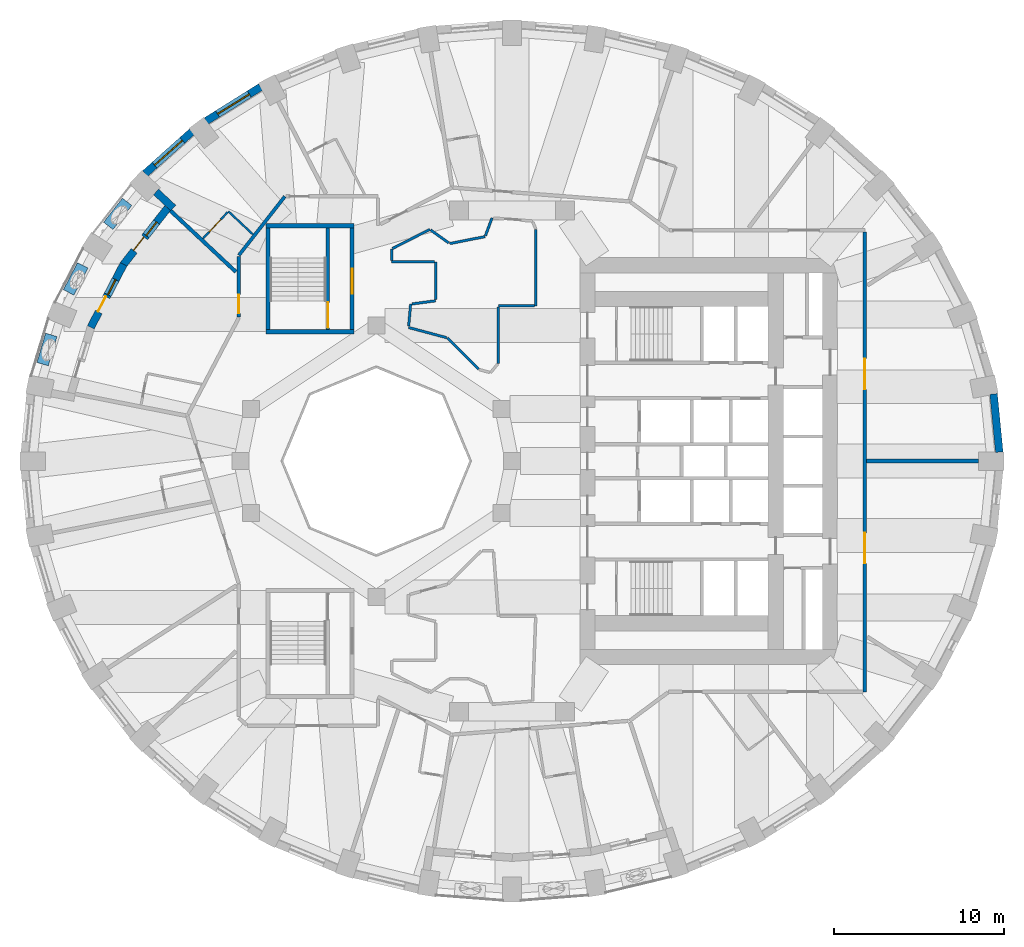
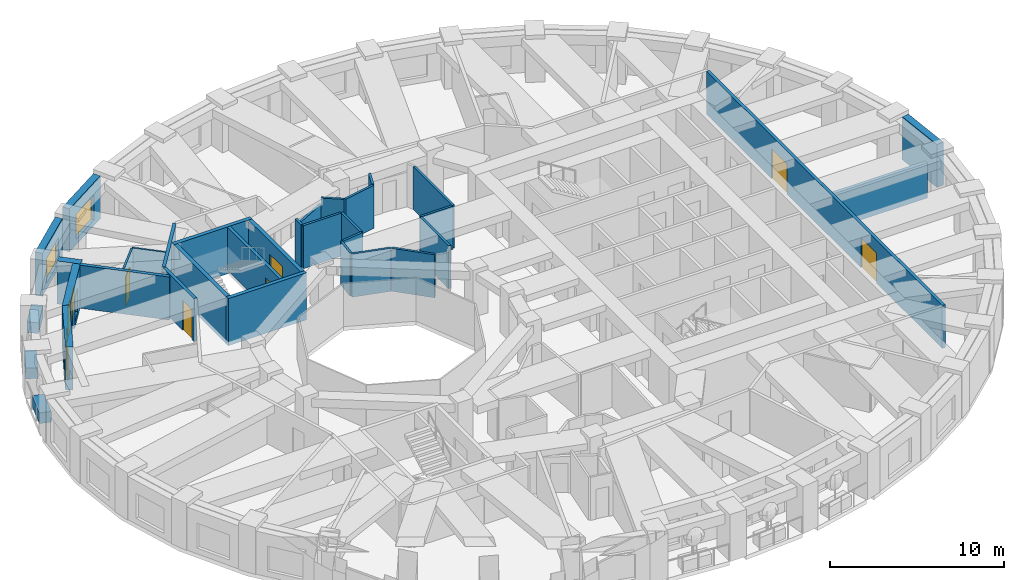
# One storey, part 7 of 13: 35 walls, 8 doors, 4 windows, 12 openings.
"""IFC4 building model written with IfcOpenShell, lengths in metres."""

from ifc_helpers import new_model, si_unit, direction, frame, frame_2d, origin, place, context, subcontext, project, spatial, rectangle, extrude, material, layer, layer_set, constituent, constituent_set, type_object, element, fill, save


model = new_model("IFC4")

# Units and contexts
model_context = context("Model", 3, precision=1e-05, world=origin(), true_north=direction((0.0, 1.0)))
body_context = subcontext(model_context, "Body", "Model", "MODEL_VIEW")
ifc_project = project(units=[si_unit("LENGTHUNIT", "METRE"), si_unit("AREAUNIT", "SQUARE_METRE"), si_unit("VOLUMEUNIT", "CUBIC_METRE"), si_unit("PLANEANGLEUNIT", "RADIAN"), si_unit("MASSUNIT", "GRAM", prefix="KILO")], contexts=[model_context])

# Site, building, storey
site_placement = place(None, origin())
site = spatial("IfcSite", under=ifc_project, at=site_placement, CompositionType="ELEMENT")
building_placement = place(site_placement, origin())
building = spatial("IfcBuilding", under=site, at=building_placement, Name="Taillehof Tower", CompositionType="ELEMENT")
storey_placement = place(building_placement, frame((0.0, 0.0, 31.60009765625)))
storey = spatial("IfcBuildingStorey", under=building, at=storey_placement, Name="L07", CompositionType="ELEMENT", Elevation=31.60009765625)

# Wall
ifc_material_1 = material(Name="Brick masonry", Category="masonry")
ifc_layer_1 = layer(ifc_material_1, 0.449951171875)
ifc_layer_set_1 = layer_set([ifc_layer_1], Name="Brick infill wall 450")
wall_type_1 = type_object("IfcWallType", Name="Brick infill wall 450", PredefinedType="SOLIDWALL", material=ifc_layer_set_1)
wall_1_placement = place(storey_placement, frame((28.721923828125, 0.530029296875, 0.0), z_axis=(0.0, 0.0, 1.0), x_axis=(-0.097389581596, 0.995246336038, 0.0)))
element("IfcWall", 1, at=wall_1_placement, inside=storey, type_object=wall_type_1, Name="Brick wall L07 bay 1", PredefinedType="SOLIDWALL", context=body_context, shape_type="SweptSolid", body=[
    extrude(rectangle(XDim=3.44189453125, YDim=0.449951171875, at=frame_2d((1.720947265625, 0.0))), origin(), (0.0, 0.0, 1.0), 3.02001953125),
])

# Wall, opening, window
wall_2_placement = place(storey_placement, frame((-14.81689453125, 22.050537109375, 0.0), z_axis=(0.0, 0.0, 1.0), x_axis=(-0.847635480093, -0.530579016629, 0.0)))
wall_2 = element("IfcWall", 2, at=wall_2_placement, inside=storey, type_object=wall_type_1, Name="Brick wall L07 bay 13", PredefinedType="SOLIDWALL", context=body_context, shape_type="SweptSolid", body=[
    extrude(rectangle(XDim=3.782470703125, YDim=0.449951171875, at=frame_2d((1.89111328125, 0.0))), origin(), (0.0, 0.0, 1.0), 3.02001953125),
])
opening_1_placement = place(wall_2_placement, frame((0.791259765625, 0.0, 0.39990234375)))
opening_1 = element("IfcOpeningElement", 3, at=opening_1_placement, cuts=wall_2, Name="Opening W1", PredefinedType="OPENING", context=body_context, shape_type="SweptSolid", body=[
    extrude(rectangle(XDim=2.199951171875, YDim=1.75, at=frame_2d((1.10009765625, 0.875))), frame((0.0, 0.23486328125, 0.0), z_axis=(0.0, -1.0, 0.0), x_axis=(1.0, 0.0, 0.0)), (0.0, 0.0, 1.0), 0.469970703125),
])
ifc_material_2 = material(Name="Aluminium window frame with clear double glazing", Category="aluminium")
window_type_1 = type_object("IfcWindowType", Name="Deep-set window 2200x1750", PartitioningType="SINGLE_PANEL", PredefinedType="WINDOW", material=ifc_material_2)
window_1_placement = place(opening_1_placement, origin())
window_1 = element("IfcWindow", 4, at=window_1_placement, inside=storey, type_object=window_type_1, Name="W1", OverallHeight=1.75, OverallWidth=2.199951171875, PartitioningType="SINGLE_PANEL", PredefinedType="WINDOW", context=body_context, shape_type="SweptSolid", body=[
    extrude(rectangle(XDim=2.199951171875, YDim=1.75, at=frame_2d((1.10009765625, 0.875))), frame((0.0, 0.034912109375, 0.0), z_axis=(0.0, -1.0, 0.0), x_axis=(1.0, 0.0, 0.0)), (0.0, 0.0, 1.0), 0.06005859375),
])
fill(opening_1, window_1)

wall_3_placement = place(storey_placement, frame((-18.87060546875, 19.406982421875, 0.0), z_axis=(0.0, 0.0, 1.0), x_axis=(-0.745526233716, -0.66647628228, 0.0)))
wall_3 = element("IfcWall", 5, at=wall_3_placement, inside=storey, type_object=wall_type_1, Name="Brick wall L07 bay 14", PredefinedType="SOLIDWALL", context=body_context, shape_type="SweptSolid", body=[
    extrude(rectangle(XDim=3.69677734375, YDim=0.449951171875, at=frame_2d((1.848388671875, 0.0))), origin(), (0.0, 0.0, 1.0), 3.02001953125),
])
opening_2_placement = place(wall_3_placement, frame((0.74853515625, 0.0, 0.39990234375)))
opening_2 = element("IfcOpeningElement", 6, at=opening_2_placement, cuts=wall_3, Name="Opening W1", PredefinedType="OPENING", context=body_context, shape_type="SweptSolid", body=[
    extrude(rectangle(XDim=2.199951171875, YDim=1.75, at=frame_2d((1.10009765625, 0.875))), frame((0.0, 0.23486328125, 0.0), z_axis=(0.0, -1.0, 0.0), x_axis=(1.0, 0.0, 0.0)), (0.0, 0.0, 1.0), 0.469970703125),
])
window_2_placement = place(opening_2_placement, origin())
window_2 = element("IfcWindow", 7, at=window_2_placement, inside=storey, type_object=window_type_1, Name="W1", OverallHeight=1.75, OverallWidth=2.199951171875, PartitioningType="SINGLE_PANEL", PredefinedType="WINDOW", context=body_context, shape_type="SweptSolid", body=[
    extrude(rectangle(XDim=2.199951171875, YDim=1.75, at=frame_2d((1.10009765625, 0.875))), frame((0.0, 0.034912109375, 0.0), z_axis=(0.0, -1.0, 0.0), x_axis=(1.0, 0.0, 0.0)), (0.0, 0.0, 1.0), 0.06005859375),
])
fill(opening_2, window_2)

# Wall
wall_4_placement = place(storey_placement, frame((-20.981689453125, 15.8662109375, 0.0), z_axis=(0.0, 0.0, 1.0), x_axis=(0.730062381614, -0.683380508174, 0.0)))
element("IfcWall", 8, at=wall_4_placement, inside=storey, type_object=wall_type_1, Name="Brick reveal L07 pocket 4", PredefinedType="SOLIDWALL", context=body_context, shape_type="SweptSolid", body=[
    extrude(rectangle(XDim=1.39111328125, YDim=0.449951171875, at=frame_2d((0.695556640625, 0.0))), origin(), (0.0, 0.0, 1.0), 3.02001953125),
])

# Wall, openings, door, window
wall_5_placement = place(storey_placement, frame((-20.298095703125, 14.918212890625, 0.0), z_axis=(0.0, 0.0, 1.0), x_axis=(-0.615578403957, -0.788075649022, 0.0)))
wall_5 = element("IfcWall", 9, at=wall_5_placement, inside=storey, type_object=wall_type_1, Name="Brick wall L07 pocket bay 15", PredefinedType="SOLIDWALL", context=body_context, shape_type="SweptSolid", body=[
    extrude(rectangle(XDim=4.2587890625, YDim=0.449951171875, at=frame_2d((2.12939453125, 0.0))), origin(), (0.0, 0.0, 1.0), 3.02001953125),
])
opening_3_placement = place(wall_5_placement, frame((1.05419921875, 0.0, 0.39990234375)))
opening_3 = element("IfcOpeningElement", 10, at=opening_3_placement, cuts=wall_5, Name="Opening W5", PredefinedType="OPENING", context=body_context, shape_type="SweptSolid", body=[
    extrude(rectangle(XDim=1.0, YDim=1.75, at=frame_2d((0.5, 0.875))), frame((0.0, 0.23486328125, 0.0), z_axis=(0.0, -1.0, 0.0), x_axis=(1.0, 0.0, 0.0)), (0.0, 0.0, 1.0), 0.469970703125),
])
opening_4_placement = place(wall_5_placement, frame((2.204345703125, 0.0, 0.0)))
opening_4 = element("IfcOpeningElement", 11, at=opening_4_placement, cuts=wall_5, Name="Opening D0791", PredefinedType="OPENING", context=body_context, shape_type="SweptSolid", body=[
    extrude(rectangle(XDim=1.0, YDim=2.14990234375, at=frame_2d((0.5, 1.074951171875))), frame((0.0, 0.23486328125, 0.0), z_axis=(0.0, -1.0, 0.0), x_axis=(1.0, 0.0, 0.0)), (0.0, 0.0, 1.0), 0.469970703125),
])
ifc_material_3 = material(Name="Aluminium door frame with clear double glazing", Category="aluminium")
door_type_1 = type_object("IfcDoorType", Name="Balcony door 1000x2150", OperationType="SINGLE_SWING_RIGHT", PredefinedType="DOOR", material=ifc_material_3)
door_1_placement = place(opening_4_placement, frame((1.0, 0.0, 0.0), z_axis=(0.0, 0.0, 1.0), x_axis=(-1.0, 0.0, 0.0)))
door_1 = element("IfcDoor", 12, at=door_1_placement, inside=storey, type_object=door_type_1, Name="Balcony door L07 bay 15", OperationType="SINGLE_SWING_RIGHT", OverallHeight=2.14990234375, OverallWidth=1.0, PredefinedType="DOOR", context=body_context, shape_type="SweptSolid", body=[
    extrude(rectangle(XDim=1.0, YDim=2.14990234375, at=frame_2d((0.5, 1.074951171875))), frame((0.0, 0.0751953125, 0.0), z_axis=(0.0, -1.0, 0.0), x_axis=(1.0, 0.0, 0.0)), (0.0, 0.0, 1.0), 0.050048828125),
])
fill(opening_4, door_1)
ifc_material_4 = material(Name="Aluminium window frame with clear double glazing", Category="aluminium")
window_type_2 = type_object("IfcWindowType", Name="Fixed window 1000x1750", PartitioningType="SINGLE_PANEL", PredefinedType="WINDOW", material=ifc_material_4)
window_3_placement = place(opening_3_placement, origin())
window_3 = element("IfcWindow", 13, at=window_3_placement, inside=storey, type_object=window_type_2, Name="W5", OverallHeight=1.75, OverallWidth=1.0, PartitioningType="SINGLE_PANEL", PredefinedType="WINDOW", context=body_context, shape_type="SweptSolid", body=[
    extrude(rectangle(XDim=1.0, YDim=1.75, at=frame_2d((0.5, 0.875))), frame((0.0, 0.034912109375, 0.0), z_axis=(0.0, -1.0, 0.0), x_axis=(1.0, 0.0, 0.0)), (0.0, 0.0, 1.0), 0.06005859375),
])
fill(opening_3, window_3)

wall_6_placement = place(storey_placement, frame((-22.897216796875, 11.5966796875, 0.0), z_axis=(0.0, 0.0, 1.0), x_axis=(-0.461514453451, -0.887132689769, 0.0)))
wall_6 = element("IfcWall", 14, at=wall_6_placement, inside=storey, type_object=wall_type_1, Name="Brick wall L07 pocket bay 16", PredefinedType="SOLIDWALL", context=body_context, shape_type="SweptSolid", body=[
    extrude(rectangle(XDim=4.182861328125, YDim=0.449951171875, at=frame_2d((2.09130859375, 0.0))), origin(), (0.0, 0.0, 1.0), 3.02001953125),
])
opening_5_placement = place(wall_6_placement, frame((1.016357421875, 0.0, 0.39990234375)))
opening_5 = element("IfcOpeningElement", 15, at=opening_5_placement, cuts=wall_6, Name="Opening W5", PredefinedType="OPENING", context=body_context, shape_type="SweptSolid", body=[
    extrude(rectangle(XDim=1.0, YDim=1.75, at=frame_2d((0.5, 0.875))), frame((0.0, 0.23486328125, 0.0), z_axis=(0.0, -1.0, 0.0), x_axis=(1.0, 0.0, 0.0)), (0.0, 0.0, 1.0), 0.469970703125),
])
opening_6_placement = place(wall_6_placement, frame((2.16650390625, 0.0, 0.0)))
opening_6 = element("IfcOpeningElement", 16, at=opening_6_placement, cuts=wall_6, Name="Opening D0792", PredefinedType="OPENING", context=body_context, shape_type="SweptSolid", body=[
    extrude(rectangle(XDim=1.0, YDim=2.14990234375, at=frame_2d((0.5, 1.074951171875))), frame((0.0, 0.23486328125, 0.0), z_axis=(0.0, -1.0, 0.0), x_axis=(1.0, 0.0, 0.0)), (0.0, 0.0, 1.0), 0.469970703125),
])
door_2_placement = place(opening_6_placement, frame((1.0, 0.0, 0.0), z_axis=(0.0, 0.0, 1.0), x_axis=(-1.0, 0.0, 0.0)))
door_2 = element("IfcDoor", 17, at=door_2_placement, inside=storey, type_object=door_type_1, Name="Balcony door L07 bay 16", OperationType="SINGLE_SWING_LEFT", OverallHeight=2.14990234375, OverallWidth=1.0, PredefinedType="DOOR", context=body_context, shape_type="SweptSolid", body=[
    extrude(rectangle(XDim=1.0, YDim=2.14990234375, at=frame_2d((0.5, 1.074951171875))), frame((0.0, 0.0751953125, 0.0), z_axis=(0.0, -1.0, 0.0), x_axis=(1.0, 0.0, 0.0)), (0.0, 0.0, 1.0), 0.050048828125),
])
fill(opening_6, door_2)
window_4_placement = place(opening_5_placement, origin())
window_4 = element("IfcWindow", 18, at=window_4_placement, inside=storey, type_object=window_type_2, Name="W5", OverallHeight=1.75, OverallWidth=1.0, PartitioningType="SINGLE_PANEL", PredefinedType="WINDOW", context=body_context, shape_type="SweptSolid", body=[
    extrude(rectangle(XDim=1.0, YDim=1.75, at=frame_2d((0.5, 0.875))), frame((0.0, 0.034912109375, 0.0), z_axis=(0.0, -1.0, 0.0), x_axis=(1.0, 0.0, 0.0)), (0.0, 0.0, 1.0), 0.06005859375),
])
fill(opening_5, window_4)

# Wall
ifc_material_5 = material(Name="Gypsum board on steel studs, two layers each side", Category="steel")
ifc_layer_2 = layer(ifc_material_5, 0.199951171875)
ifc_layer_set_2 = layer_set([ifc_layer_2], Name="Compartment wall corridor 200")
wall_type_2 = type_object("IfcWallType", Name="Compartment wall corridor 200", PredefinedType="PARTITIONING", material=ifc_layer_set_2)
wall_7_placement = place(storey_placement, frame((-16.10009765625, 12.129638671875, 0.0), z_axis=(0.0, 0.0, 1.0), x_axis=(0.615593476668, 0.788063875256, 0.0)))
element("IfcWall", 19, at=wall_7_placement, inside=storey, type_object=wall_type_2, Name="Compartment wall", PredefinedType="PARTITIONING", context=body_context, shape_type="SweptSolid", body=[
    extrude(rectangle(XDim=4.40380859375, YDim=0.199951171875, at=frame_2d((2.201904296875, 0.0))), origin(), (0.0, 0.0, 1.0), 3.02001953125),
])

# Wall, openings, doors
wall_8_placement = place(storey_placement, frame((20.800048828125, 13.5, 0.0), z_axis=(0.0, 0.0, 1.0), x_axis=(0.0, -1.0, 0.0)))
wall_8 = element("IfcWall", 20, at=wall_8_placement, inside=storey, type_object=wall_type_2, Name="Compartment wall", PredefinedType="PARTITIONING", context=body_context, shape_type="SweptSolid", body=[
    extrude(rectangle(XDim=27.10009765625, YDim=0.199951171875, at=frame_2d((13.550048828125, 0.0))), origin(), (0.0, 0.0, 1.0), 3.02001953125),
])
opening_7_placement = place(wall_8_placement, frame((17.733154296875, 0.0, 0.0)))
opening_7 = element("IfcOpeningElement", 21, at=opening_7_placement, cuts=wall_8, Name="Opening D0763", PredefinedType="OPENING", context=body_context, shape_type="SweptSolid", body=[
    extrude(rectangle(XDim=1.800048828125, YDim=2.10009765625, at=frame_2d((0.89990234375, 1.050048828125))), frame((0.0, 0.10986328125, 0.0), z_axis=(0.0, -1.0, 0.0), x_axis=(1.0, 0.0, 0.0)), (0.0, 0.0, 1.0), 0.219970703125),
])
opening_8_placement = place(wall_8_placement, frame((7.466796875, 0.0, 0.0)))
opening_8 = element("IfcOpeningElement", 22, at=opening_8_placement, cuts=wall_8, Name="Opening D0764", PredefinedType="OPENING", context=body_context, shape_type="SweptSolid", body=[
    extrude(rectangle(XDim=1.800048828125, YDim=2.10009765625, at=frame_2d((0.89990234375, 1.050048828125))), frame((0.0, 0.10986328125, 0.0), z_axis=(0.0, -1.0, 0.0), x_axis=(1.0, 0.0, 0.0)), (0.0, 0.0, 1.0), 0.219970703125),
])
ifc_material_6 = material(Name="Timber door leaf in steel frame", Category="steel")
door_type_2 = type_object("IfcDoorType", Name="Lounge and meeting room double door EI 30 1800 x 2100", OperationType="SINGLE_SWING_LEFT", PredefinedType="DOOR", material=ifc_material_6)
door_3_placement = place(opening_7_placement, origin())
door_3 = element("IfcDoor", 23, at=door_3_placement, inside=storey, type_object=door_type_2, Name="D0763", OperationType="DOUBLE_DOOR_SINGLE_SWING", OverallHeight=2.10009765625, OverallWidth=1.800048828125, PredefinedType="DOOR", context=body_context, shape_type="SweptSolid", body=[
    extrude(rectangle(XDim=1.800048828125, YDim=2.10009765625, at=frame_2d((0.89990234375, 1.050048828125))), frame((0.0, 0.02490234375, 0.0), z_axis=(0.0, -1.0, 0.0), x_axis=(1.0, 0.0, 0.0)), (0.0, 0.0, 1.0), 0.050048828125),
])
fill(opening_7, door_3)
door_4_placement = place(opening_8_placement, origin())
door_4 = element("IfcDoor", 24, at=door_4_placement, inside=storey, type_object=door_type_2, Name="D0764", OperationType="DOUBLE_DOOR_SINGLE_SWING", OverallHeight=2.10009765625, OverallWidth=1.800048828125, PredefinedType="DOOR", context=body_context, shape_type="SweptSolid", body=[
    extrude(rectangle(XDim=1.800048828125, YDim=2.10009765625, at=frame_2d((0.89990234375, 1.050048828125))), frame((0.0, 0.02490234375, 0.0), z_axis=(0.0, -1.0, 0.0), x_axis=(1.0, 0.0, 0.0)), (0.0, 0.0, 1.0), 0.050048828125),
])
fill(opening_8, door_4)

# Wall, opening, door
wall_9_placement = place(storey_placement, frame((-16.10009765625, 8.49072265625, 0.0), z_axis=(0.0, 0.0, 1.0), x_axis=(0.0, 1.0, 0.0)))
wall_9 = element("IfcWall", 25, at=wall_9_placement, inside=storey, type_object=wall_type_2, Name="Compartment wall", PredefinedType="PARTITIONING", context=body_context, shape_type="SweptSolid", body=[
    extrude(rectangle(XDim=3.578857421875, YDim=0.199951171875, at=frame_2d((1.78955078125, 0.0))), origin(), (0.0, 0.0, 1.0), 3.02001953125),
])
opening_9_placement = place(wall_9_placement, frame((0.219970703125, 0.0, 0.0)))
opening_9 = element("IfcOpeningElement", 26, at=opening_9_placement, cuts=wall_9, Name="Opening D0748", PredefinedType="OPENING", context=body_context, shape_type="SweptSolid", body=[
    extrude(rectangle(XDim=1.10009765625, YDim=2.10009765625, at=frame_2d((0.550048828125, 1.050048828125))), frame((0.0, 0.10986328125, 0.0), z_axis=(0.0, -1.0, 0.0), x_axis=(1.0, 0.0, 0.0)), (0.0, 0.0, 1.0), 0.219970703125),
])
ifc_material_7 = material(Name="Timber door leaf in steel frame", Category="steel")
door_type_3 = type_object("IfcDoorType", Name="Suite entrance door EI 30 1100 x 2100", OperationType="SINGLE_SWING_LEFT", PredefinedType="DOOR", material=ifc_material_7)
door_5_placement = place(opening_9_placement, origin())
door_5 = element("IfcDoor", 27, at=door_5_placement, inside=storey, type_object=door_type_3, Name="D0748", OperationType="SINGLE_SWING_LEFT", OverallHeight=2.10009765625, OverallWidth=1.10009765625, PredefinedType="DOOR", context=body_context, shape_type="SweptSolid", body=[
    extrude(rectangle(XDim=1.10009765625, YDim=2.10009765625, at=frame_2d((0.550048828125, 1.050048828125))), frame((0.0, 0.02490234375, 0.0), z_axis=(0.0, -1.0, 0.0), x_axis=(1.0, 0.0, 0.0)), (0.0, 0.0, 1.0), 0.050048828125),
])
fill(opening_9, door_5)

# Walls
ifc_material_8 = material(Name="Gypsum board on double steel studs with mineral wool", Category="steel")
ifc_layer_3 = layer(ifc_material_8, 0.219970703125)
ifc_layer_set_3 = layer_set([ifc_layer_3], Name="Compartment wall guest room 220")
wall_type_3 = type_object("IfcWallType", Name="Compartment wall guest room 220", PredefinedType="PARTITIONING", material=ifc_layer_set_3)
wall_10_placement = place(storey_placement, frame((27.5, 0.0, 0.0), z_axis=(0.0, 0.0, 1.0), x_axis=(-1.0, 0.0, 0.0)))
element("IfcWall", 28, at=wall_10_placement, inside=storey, type_object=wall_type_3, Name="Compartment wall", PredefinedType="PARTITIONING", context=body_context, shape_type="SweptSolid", body=[
    extrude(rectangle(XDim=6.599853515625, YDim=0.219970703125, at=frame_2d((3.2998046875, 0.0))), origin(), (0.0, 0.0, 1.0), 2.469970703125),
])
wall_11_placement = place(storey_placement, frame((-20.133056640625, 14.763671875, 0.0), z_axis=(0.0, 0.0, 1.0), x_axis=(0.730065516357, -0.68337715928, 0.0)))
element("IfcWall", 29, at=wall_11_placement, inside=storey, type_object=wall_type_3, Name="Compartment wall", PredefinedType="PARTITIONING", context=body_context, shape_type="SweptSolid", body=[
    extrude(rectangle(XDim=5.28662109375, YDim=0.219970703125, at=frame_2d((2.643310546875, 0.0))), origin(), (0.0, 0.0, 1.0), 3.02001953125),
])
ifc_material_9 = material(Name="Gypsum board on steel studs, two layers each side", Category="steel")
ifc_layer_4 = layer(ifc_material_9, 0.14990234375)
ifc_layer_set_4 = layer_set([ifc_layer_4], Name="Compartment wall service room 150")
wall_type_4 = type_object("IfcWallType", Name="Compartment wall service room 150", PredefinedType="PARTITIONING", material=ifc_layer_set_4)
wall_12_placement = place(storey_placement, frame((-3.67578125, 12.822021484375, 0.0), z_axis=(0.0, 0.0, 1.0), x_axis=(0.981284032016, 0.192565958858, 0.0)))
element("IfcWall", 30, at=wall_12_placement, inside=storey, type_object=wall_type_4, Name="Compartment wall", PredefinedType="PARTITIONING", context=body_context, shape_type="SweptSolid", body=[
    extrude(rectangle(XDim=2.1298828125, YDim=0.14990234375, at=frame_2d((1.06494140625, 0.0))), origin(), (0.0, 0.0, 1.0), 3.02001953125),
])
wall_13_placement = place(storey_placement, frame((-1.564453125, 13.28857421875, 0.0), z_axis=(0.0, 0.0, 1.0), x_axis=(0.348554808131, 0.937288400509, 0.0)))
element("IfcWall", 31, at=wall_13_placement, inside=storey, type_object=wall_type_4, Name="Compartment wall", PredefinedType="PARTITIONING", context=body_context, shape_type="SweptSolid", body=[
    extrude(rectangle(XDim=1.114990234375, YDim=0.14990234375, at=frame_2d((0.5576171875, 0.0))), origin(), (0.0, 0.0, 1.0), 3.02001953125),
])
wall_14_placement = place(storey_placement, frame((1.39990234375, 13.66064453125, 0.0), z_axis=(0.0, 0.0, 1.0), x_axis=(0.0, -1.0, 0.0)))
element("IfcWall", 32, at=wall_14_placement, inside=storey, type_object=wall_type_4, Name="Compartment wall", PredefinedType="PARTITIONING", context=body_context, shape_type="SweptSolid", body=[
    extrude(rectangle(XDim=4.5107421875, YDim=0.14990234375, at=frame_2d((2.25537109375, 0.0))), origin(), (0.0, 0.0, 1.0), 3.02001953125),
])
wall_15_placement = place(storey_placement, frame((1.31982421875, 9.14990234375, 0.0), z_axis=(0.0, 0.0, 1.0), x_axis=(-1.0, 0.0, 0.0)))
element("IfcWall", 33, at=wall_15_placement, inside=storey, type_object=wall_type_4, Name="Compartment wall", PredefinedType="PARTITIONING", context=body_context, shape_type="SweptSolid", body=[
    extrude(rectangle(XDim=2.119873046875, YDim=0.14990234375, at=frame_2d((1.06005859375, 0.0))), origin(), (0.0, 0.0, 1.0), 3.02001953125),
])
wall_16_placement = place(storey_placement, frame((-0.800048828125, 9.06982421875, 0.0), z_axis=(0.0, 0.0, 1.0), x_axis=(-0.003911409193, -0.99999235041, 0.0)))
element("IfcWall", 34, at=wall_16_placement, inside=storey, type_object=wall_type_4, Name="Compartment wall", PredefinedType="PARTITIONING", context=body_context, shape_type="SweptSolid", body=[
    extrude(rectangle(XDim=3.30810546875, YDim=0.14990234375, at=frame_2d((1.654052734375, 0.0))), origin(), (0.0, 0.0, 1.0), 3.02001953125),
])
wall_17_placement = place(storey_placement, frame((-1.973388671875, 5.428466796875, 0.0), z_axis=(0.0, 0.0, 1.0), x_axis=(-0.707106781187, 0.707106781187, 0.0)))
element("IfcWall", 35, at=wall_17_placement, inside=storey, type_object=wall_type_4, Name="Compartment wall", PredefinedType="PARTITIONING", context=body_context, shape_type="SweptSolid", body=[
    extrude(rectangle(XDim=2.59326171875, YDim=0.14990234375, at=frame_2d((1.296630859375, 0.0))), origin(), (0.0, 0.0, 1.0), 3.02001953125),
])
wall_18_placement = place(storey_placement, frame((-3.845703125, 7.2724609375, 0.0), z_axis=(0.0, 0.0, 1.0), x_axis=(-0.965906023197, 0.258892939941, 0.0)))
element("IfcWall", 36, at=wall_18_placement, inside=storey, type_object=wall_type_4, Name="Compartment wall", PredefinedType="PARTITIONING", context=body_context, shape_type="SweptSolid", body=[
    extrude(rectangle(XDim=2.333984375, YDim=0.14990234375, at=frame_2d((1.1669921875, 0.0))), origin(), (0.0, 0.0, 1.0), 3.02001953125),
])
wall_19_placement = place(storey_placement, frame((-6.09228515625, 7.956787109375, 0.0), z_axis=(0.0, 0.0, 1.0), x_axis=(0.091567710563, 0.99579885237, 0.0)))
element("IfcWall", 37, at=wall_19_placement, inside=storey, type_object=wall_type_4, Name="Compartment wall", PredefinedType="PARTITIONING", context=body_context, shape_type="SweptSolid", body=[
    extrude(rectangle(XDim=1.301025390625, YDim=0.14990234375, at=frame_2d((0.650390625, 0.0))), origin(), (0.0, 0.0, 1.0), 3.02001953125),
])
wall_20_placement = place(storey_placement, frame((-5.89404296875, 9.26318359375, 0.0), z_axis=(0.0, 0.0, 1.0), x_axis=(0.991144324173, 0.132789038177, 0.0)))
element("IfcWall", 38, at=wall_20_placement, inside=storey, type_object=wall_type_4, Name="Compartment wall", PredefinedType="PARTITIONING", context=body_context, shape_type="SweptSolid", body=[
    extrude(rectangle(XDim=1.406494140625, YDim=0.14990234375, at=frame_2d((0.703125, 0.0))), origin(), (0.0, 0.0, 1.0), 3.02001953125),
])
wall_21_placement = place(storey_placement, frame((-4.5, 9.530029296875, 0.0), z_axis=(0.0, 0.0, 1.0), x_axis=(0.0, 1.0, 0.0)))
element("IfcWall", 39, at=wall_21_placement, inside=storey, type_object=wall_type_4, Name="Compartment wall", PredefinedType="PARTITIONING", context=body_context, shape_type="SweptSolid", body=[
    extrude(rectangle(XDim=2.219970703125, YDim=0.14990234375, at=frame_2d((1.10986328125, 0.0))), origin(), (0.0, 0.0, 1.0), 3.02001953125),
])
wall_22_placement = place(storey_placement, frame((-4.580078125, 11.75, 0.0), z_axis=(0.0, 0.0, 1.0), x_axis=(-1.0, 0.0, 0.0)))
element("IfcWall", 40, at=wall_22_placement, inside=storey, type_object=wall_type_4, Name="Compartment wall", PredefinedType="PARTITIONING", context=body_context, shape_type="SweptSolid", body=[
    extrude(rectangle(XDim=2.52001953125, YDim=0.14990234375, at=frame_2d((1.260009765625, 0.0))), origin(), (0.0, 0.0, 1.0), 3.02001953125),
])
wall_23_placement = place(storey_placement, frame((-7.10009765625, 11.830078125, 0.0), z_axis=(0.0, 0.0, 1.0), x_axis=(0.0, 1.0, 0.0)))
element("IfcWall", 41, at=wall_23_placement, inside=storey, type_object=wall_type_4, Name="Compartment wall", PredefinedType="PARTITIONING", context=body_context, shape_type="SweptSolid", body=[
    extrude(rectangle(XDim=0.67236328125, YDim=0.14990234375, at=frame_2d((0.336181640625, 0.0))), origin(), (0.0, 0.0, 1.0), 3.02001953125),
])
wall_24_placement = place(storey_placement, frame((-7.046630859375, 12.529541015625, 0.0), z_axis=(0.0, 0.0, 1.0), x_axis=(0.890208185307, 0.455553934032, 0.0)))
element("IfcWall", 42, at=wall_24_placement, inside=storey, type_object=wall_type_4, Name="Compartment wall", PredefinedType="PARTITIONING", context=body_context, shape_type="SweptSolid", body=[
    extrude(rectangle(XDim=2.4765625, YDim=0.14990234375, at=frame_2d((1.23828125, 0.0))), origin(), (0.0, 0.0, 1.0), 2.56982421875),
])
wall_25_placement = place(storey_placement, frame((-4.79296875, 13.62255859375, 0.0), z_axis=(0.0, 0.0, 1.0), x_axis=(0.812853780358, -0.582467794611, 0.0)))
element("IfcWall", 43, at=wall_25_placement, inside=storey, type_object=wall_type_4, Name="Compartment wall", PredefinedType="PARTITIONING", context=body_context, shape_type="SweptSolid", body=[
    extrude(rectangle(XDim=1.31396484375, YDim=0.14990234375, at=frame_2d((0.656982421875, 0.0))), origin(), (0.0, 0.0, 1.0), 3.02001953125),
])
ifc_material_10 = material(Name="Gypsum board on steel studs, moisture resistant", Category="steel")
ifc_layer_5 = layer(ifc_material_10, 0.1201171875)
ifc_layer_set_5 = layer_set([ifc_layer_5], Name="En-suite wall 120")
wall_type_5 = type_object("IfcWallType", Name="En-suite wall 120", PredefinedType="PARTITIONING", material=ifc_layer_set_5)
wall_26_placement = place(storey_placement, frame((-15.2666015625, 13.359130859375, 0.0), z_axis=(0.0, 0.0, 1.0), x_axis=(-0.730103481834, 0.683336597742, 0.0)))
element("IfcWall", 44, at=wall_26_placement, inside=storey, type_object=wall_type_5, Name="En-suite wall", PredefinedType="PARTITIONING", context=body_context, shape_type="SweptSolid", body=[
    extrude(rectangle(XDim=1.989013671875, YDim=0.1201171875, at=frame_2d((0.99462890625, 0.0))), origin(), (0.0, 0.0, 1.0), 3.02001953125),
])

# Wall, opening, door
wall_27_placement = place(storey_placement, frame((-16.759765625, 14.67431640625, 0.0), z_axis=(0.0, 0.0, 1.0), x_axis=(-0.683334594436, -0.730105356813, 0.0)))
wall_27 = element("IfcWall", 45, at=wall_27_placement, inside=storey, type_object=wall_type_5, Name="En-suite wall", PredefinedType="PARTITIONING", context=body_context, shape_type="SweptSolid", body=[
    extrude(rectangle(XDim=2.129638671875, YDim=0.1201171875, at=frame_2d((1.06494140625, 0.0))), origin(), (0.0, 0.0, 1.0), 3.02001953125),
])
opening_10_placement = place(wall_27_placement, frame((0.58984375, 0.0, 0.0)))
opening_10 = element("IfcOpeningElement", 46, at=opening_10_placement, cuts=wall_27, Name="Opening D0747", PredefinedType="OPENING", context=body_context, shape_type="SweptSolid", body=[
    extrude(rectangle(XDim=1.0, YDim=2.10009765625, at=frame_2d((0.5, 1.050048828125))), frame((0.0, 0.070068359375, 0.0), z_axis=(0.0, -1.0, 0.0), x_axis=(1.0, 0.0, 0.0)), (0.0, 0.0, 1.0), 0.14013671875),
])
ifc_material_11 = material(Name="Timber door leaf in steel frame", Category="steel")
door_type_4 = type_object("IfcDoorType", Name="Accessible en-suite door 1000 x 2100", OperationType="SINGLE_SWING_LEFT", PredefinedType="DOOR", material=ifc_material_11)
door_6_placement = place(opening_10_placement, origin())
door_6 = element("IfcDoor", 47, at=door_6_placement, inside=storey, type_object=door_type_4, Name="D0747", OperationType="SINGLE_SWING_LEFT", OverallHeight=2.10009765625, OverallWidth=1.0, PredefinedType="DOOR", context=body_context, shape_type="SweptSolid", body=[
    extrude(rectangle(XDim=1.0, YDim=2.10009765625, at=frame_2d((0.5, 1.050048828125))), frame((0.0, 0.02490234375, 0.0), z_axis=(0.0, -1.0, 0.0), x_axis=(1.0, 0.0, 0.0)), (0.0, 0.0, 1.0), 0.050048828125),
])
fill(opening_10, door_6)

# Walls
ifc_material_12 = material(Name="Concrete C30/37 precast", Category="concrete")
ifc_constituent_1 = constituent(ifc_material_12, Name="Structure", Category="concrete")
ifc_material_13 = material(Name="Insulated lining")
ifc_constituent_2 = constituent(ifc_material_13, Name="Lining")
ifc_constituent_set = constituent_set(constituents=[ifc_constituent_1, ifc_constituent_2], Name="Planter trough 700x750")
wall_type_6 = type_object("IfcWallType", Name="Planter trough 700x750", PredefinedType="USERDEFINED", material=ifc_constituent_set)
wall_28_placement = place(storey_placement, frame((-22.685546875, 15.28125, 0.0), z_axis=(0.0, 0.0, 1.0), x_axis=(-0.616622746332, -0.787258781282, 0.0)))
element("IfcWall", 48, at=wall_28_placement, inside=storey, type_object=wall_type_6, Name="Planter L07 bay 15", ObjectType="PLANTER", PredefinedType="USERDEFINED", context=body_context, shape_type="SweptSolid", body=[
    extrude(rectangle(XDim=1.7998046875, YDim=0.699951171875, at=frame_2d((0.89990234375, 0.0))), origin(), (0.0, 0.0, 1.0), 0.75),
])
wall_29_placement = place(storey_placement, frame((-25.300048828125, 11.536865234375, 0.0), z_axis=(0.0, 0.0, 1.0), x_axis=(-0.462501112253, -0.886618701114, 0.0)))
element("IfcWall", 49, at=wall_29_placement, inside=storey, type_object=wall_type_6, Name="Planter L07 bay 16", ObjectType="PLANTER", PredefinedType="USERDEFINED", context=body_context, shape_type="SweptSolid", body=[
    extrude(rectangle(XDim=1.800048828125, YDim=0.699951171875, at=frame_2d((0.89990234375, 0.0))), origin(), (0.0, 0.0, 1.0), 0.75),
])
wall_30_placement = place(storey_placement, frame((-27.152099609375, 7.439453125, 0.0), z_axis=(0.0, 0.0, 1.0), x_axis=(-0.287024312863, -0.957923297465, 0.0)))
element("IfcWall", 50, at=wall_30_placement, inside=storey, type_object=wall_type_6, Name="Planter L07 bay 17", ObjectType="PLANTER", PredefinedType="USERDEFINED", context=body_context, shape_type="SweptSolid", body=[
    extrude(rectangle(XDim=1.7998046875, YDim=0.699951171875, at=frame_2d((0.89990234375, 0.0))), origin(), (0.0, 0.0, 1.0), 0.75),
])

# Wall, opening, door
ifc_material_14 = material(Name="Concrete C50/60", Category="concrete")
ifc_layer_6 = layer(ifc_material_14, 0.199951171875)
ifc_layer_set_6 = layer_set([ifc_layer_6], Name="Shaft wall C50/60 200")
wall_type_7 = type_object("IfcWallType", Name="Shaft wall C50/60 200", PredefinedType="SHEAR", material=ifc_layer_set_6)
wall_31_placement = place(storey_placement, frame((-10.85009765625, 7.75, 0.0), z_axis=(0.0, 0.0, 1.0), x_axis=(0.0, 1.0, 0.0)))
wall_31 = element("IfcWall", 51, at=wall_31_placement, inside=storey, type_object=wall_type_7, Name="Shaft wall SW", PredefinedType="SHEAR", context=body_context, shape_type="SweptSolid", body=[
    extrude(rectangle(XDim=6.0, YDim=0.199951171875, at=frame_2d((3.0, 0.0))), origin(), (0.0, 0.0, 1.0), 3.02001953125),
])
opening_11_placement = place(wall_31_placement, frame((0.10009765625, 0.0, 0.0)))
opening_11 = element("IfcOpeningElement", 52, at=opening_11_placement, cuts=wall_31, Name="Opening D0712", PredefinedType="OPENING", context=body_context, shape_type="SweptSolid", body=[
    extrude(rectangle(XDim=1.5, YDim=2.10009765625, at=frame_2d((0.75, 1.050048828125))), frame((0.0, 0.10986328125, 0.0), z_axis=(0.0, -1.0, 0.0), x_axis=(1.0, 0.0, 0.0)), (0.0, 0.0, 1.0), 0.219970703125),
])
ifc_material_15 = material(Name="Steel-faced fire door", Category="steel")
door_type_5 = type_object("IfcDoorType", Name="Stair door 1500x2100", OperationType="DOUBLE_DOOR_SINGLE_SWING", PredefinedType="DOOR", material=ifc_material_15)
door_7_placement = place(opening_11_placement, origin())
door_7 = element("IfcDoor", 53, at=door_7_placement, inside=storey, type_object=door_type_5, Name="Stair lobby door S3", OperationType="DOUBLE_DOOR_SINGLE_SWING", OverallHeight=2.10009765625, OverallWidth=1.5, PredefinedType="DOOR", context=body_context, shape_type="SweptSolid", body=[
    extrude(rectangle(XDim=1.5, YDim=2.10009765625, at=frame_2d((0.75, 1.050048828125))), frame((0.0, 0.02490234375, 0.0), z_axis=(0.0, -1.0, 0.0), x_axis=(1.0, 0.0, 0.0)), (0.0, 0.0, 1.0), 0.050048828125),
])
fill(opening_11, door_7)

# Wall
ifc_material_16 = material(Name="Concrete C50/60", Category="concrete")
ifc_layer_7 = layer(ifc_material_16, 0.25)
ifc_layer_set_7 = layer_set([ifc_layer_7], Name="Stair wall C50/60 250")
wall_type_8 = type_object("IfcWallType", Name="Stair wall C50/60 250", PredefinedType="SHEAR", material=ifc_layer_set_7)
wall_32_placement = place(storey_placement, frame((-14.375, 7.75, -0.280029296875), z_axis=(0.0, 0.0, 1.0), x_axis=(0.0, 1.0, 0.0)))
element("IfcWall", 54, at=wall_32_placement, inside=storey, type_object=wall_type_8, Name="Stair wall SC", PredefinedType="SHEAR", context=body_context, shape_type="SweptSolid", body=[
    extrude(rectangle(XDim=6.0, YDim=0.25, at=frame_2d((3.0, 0.0))), origin(), (0.0, 0.0, 1.0), 3.300048828125),
])

# Wall, opening, door
wall_33_placement = place(storey_placement, frame((-9.425048828125, 7.75, -0.280029296875), z_axis=(0.0, 0.0, 1.0), x_axis=(0.0, 1.0, 0.0)))
wall_33 = element("IfcWall", 55, at=wall_33_placement, inside=storey, type_object=wall_type_8, Name="Stair wall SC", PredefinedType="SHEAR", context=body_context, shape_type="SweptSolid", body=[
    extrude(rectangle(XDim=6.0, YDim=0.25, at=frame_2d((3.0, 0.0))), origin(), (0.0, 0.0, 1.0), 3.300048828125),
])
opening_12_placement = place(wall_33_placement, frame((2.10009765625, 0.0, 0.280029296875)))
opening_12 = element("IfcOpeningElement", 56, at=opening_12_placement, cuts=wall_33, Name="Opening D0719", PredefinedType="OPENING", context=body_context, shape_type="SweptSolid", body=[
    extrude(rectangle(XDim=1.5, YDim=2.10009765625, at=frame_2d((0.75, 1.050048828125))), frame((0.0, 0.135009765625, 0.0), z_axis=(0.0, -1.0, 0.0), x_axis=(1.0, 0.0, 0.0)), (0.0, 0.0, 1.0), 0.27001953125),
])
door_8_placement = place(opening_12_placement, origin())
door_8 = element("IfcDoor", 57, at=door_8_placement, inside=storey, type_object=door_type_5, Name="Stair door S3", OperationType="DOUBLE_DOOR_SINGLE_SWING", OverallHeight=2.10009765625, OverallWidth=1.5, PredefinedType="DOOR", context=body_context, shape_type="SweptSolid", body=[
    extrude(rectangle(XDim=1.5, YDim=2.10009765625, at=frame_2d((0.75, 1.050048828125))), frame((0.0, 0.02490234375, 0.0), z_axis=(0.0, -1.0, 0.0), x_axis=(1.0, 0.0, 0.0)), (0.0, 0.0, 1.0), 0.050048828125),
])
fill(opening_12, door_8)

# Walls
for number, where, z_axis, x_axis, name in (
    (58, (-14.5, 13.875, -0.280029296875), (0.0, 0.0, 1.0), (1.0, 0.0, 0.0), "Stair wall SC"),
    (59, (-14.5, 7.625, -0.280029296875), (0.0, 0.0, 1.0), (1.0, 0.0, 0.0), "Stair wall SC"),
):
    element("IfcWall", number, at=place(storey_placement, frame(where, z_axis=z_axis, x_axis=x_axis)), inside=storey, type_object=wall_type_8, Name=name, PredefinedType="SHEAR", context=body_context, shape_type="SweptSolid", body=[
        extrude(rectangle(XDim=5.199951171875, YDim=0.25, at=frame_2d((2.60009765625, 0.0))), origin(), (0.0, 0.0, 1.0), 3.300048828125),
    ])

save(model, "model.ifc")
